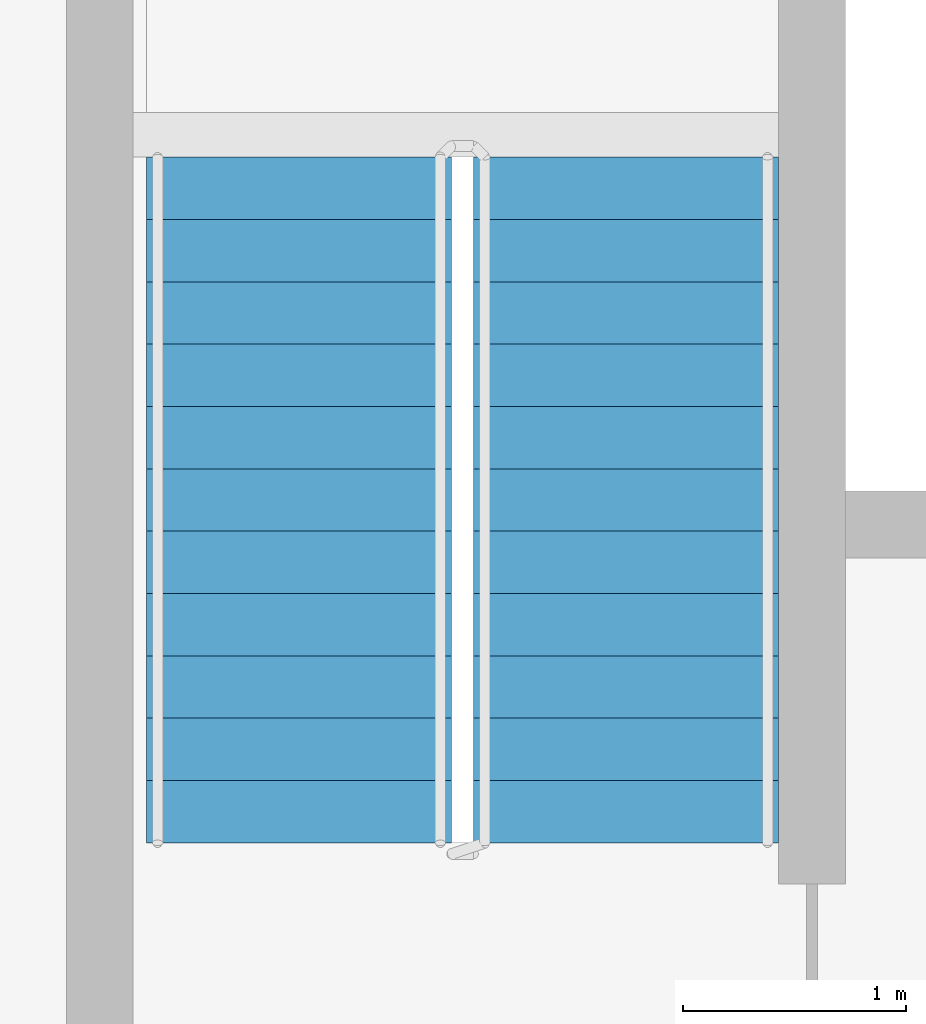
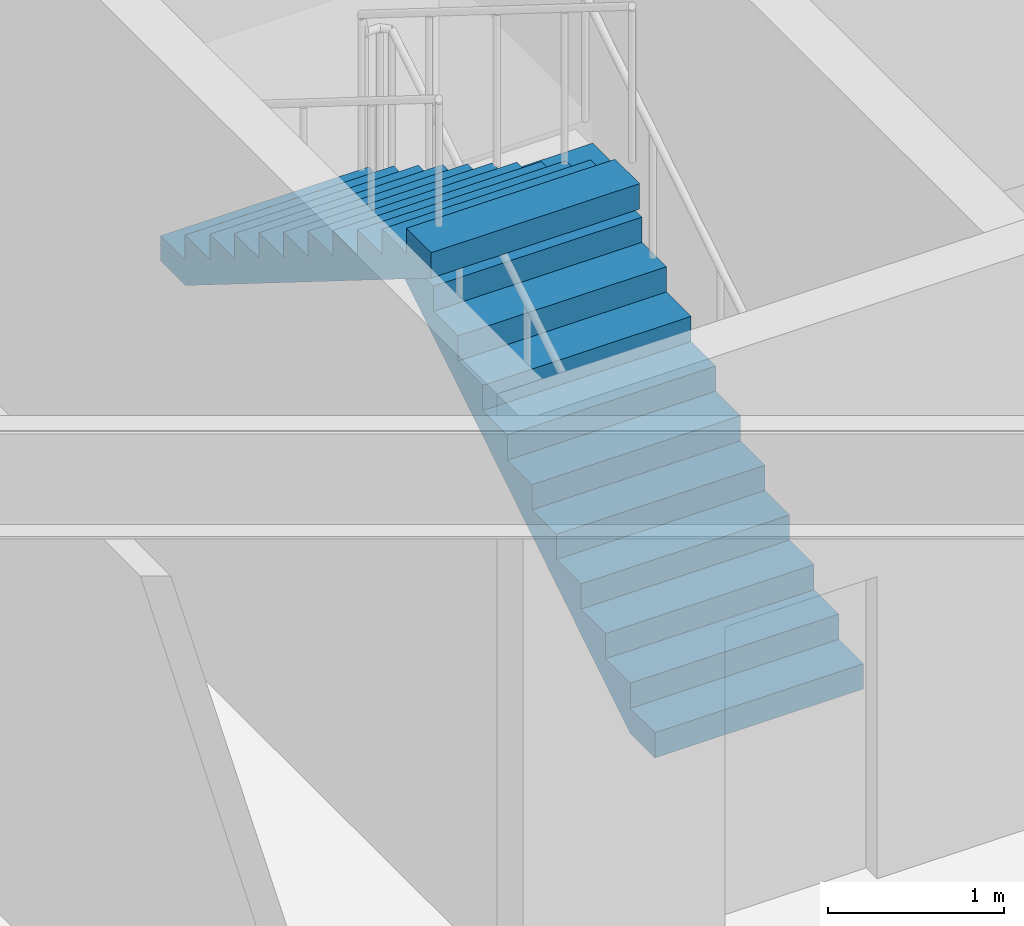
# One storey, part 19 of 21: 2 stair flights, 1 element without a shape of its own.
"""IFC4 building model written with IfcOpenShell, lengths in metres."""

from ifc_helpers import new_model, si_unit, direction, frame, origin, place, context, subcontext, project, spatial, polyline, outline, extrude, material, type_object, element, aggregate, save


model = new_model("IFC4")

# Units and contexts
model_context = context("Model", 3, precision=1e-05, world=origin(), true_north=direction((0.0, 1.0)))
body_context = subcontext(model_context, "Body", "Model", "MODEL_VIEW")
ifc_project = project(units=[si_unit("LENGTHUNIT", "METRE"), si_unit("AREAUNIT", "SQUARE_METRE"), si_unit("VOLUMEUNIT", "CUBIC_METRE"), si_unit("PLANEANGLEUNIT", "RADIAN"), si_unit("MASSUNIT", "GRAM", prefix="KILO")], contexts=[model_context])

# Site, building, storey
site_placement = place(None, origin())
site = spatial("IfcSite", under=ifc_project, at=site_placement, CompositionType="ELEMENT")
building_placement = place(site_placement, origin())
building = spatial("IfcBuilding", under=site, at=building_placement, Name="Firuza Gate Tower and Library", CompositionType="ELEMENT")
storey_placement = place(building_placement, frame((0.0, 0.0, 90.39990234375)))
storey = spatial("IfcBuildingStorey", under=building, at=storey_placement, Name="L20", CompositionType="ELEMENT", Elevation=90.39990234375)

# Stair, stair flights
ifc_material_1 = material(Name="Concrete C35/45", Category="concrete")
stair_type = type_object("IfcStairType", Name="Exit stair ST14", PredefinedType="HALF_TURN_STAIR", material=ifc_material_1)
stair_placement = place(storey_placement, origin())
stair = element("IfcStair", 1, at=stair_placement, inside=storey, type_object=stair_type, Name="L20 Stair ST3", PredefinedType="HALF_TURN_STAIR")
ifc_material_2 = material(Name="Concrete C35/45", Category="concrete")
stair_flight_type = type_object("IfcStairFlightType", Name="Stair flight 12 risers 175 width 1370", PredefinedType="STRAIGHT", material=ifc_material_2)
stair_flight_1_placement = place(storey_placement, frame((74.31494140625, 89.469970703125, 0.0), z_axis=(0.0, 0.0, 1.0), x_axis=(0.0, 1.0, 0.0)))
stair_flight_1 = element("IfcStairFlight", 2, at=stair_flight_1_placement, type_object=stair_flight_type, Name="ST3 flight 1", NumberOfRisers=12, NumberOfTreads=11, PredefinedType="STRAIGHT", RiserHeight=0.175, TreadLength=0.28, context=body_context, shape_type="SweptSolid", body=[
    extrude(outline(polyline([(0.0, 0.0), (0.0, 0.175048828125), (0.280029296875, 0.175048828125), (0.280029296875, 0.35009765625), (0.56005859375, 0.35009765625), (0.56005859375, 0.52490234375), (0.840087890625, 0.52490234375), (0.840087890625, 0.699951171875), (1.1201171875, 0.699951171875), (1.1201171875, 0.875), (1.39990234375, 0.875), (1.39990234375, 1.050048828125), (1.679931640625, 1.050048828125), (1.679931640625, 1.22509765625), (1.9599609375, 1.22509765625), (1.9599609375, 1.39990234375), (2.239990234375, 1.39990234375), (2.239990234375, 1.574951171875), (2.52001953125, 1.574951171875), (2.52001953125, 1.75), (2.800048828125, 1.75), (2.800048828125, 1.925048828125), (3.080078125, 1.925048828125), (3.080078125, 2.10009765625), (3.080078125, 1.748291015625), (0.28271484375, 0.0), (0.0, 0.0)])), frame((0.0, 0.68505859375, 0.0), z_axis=(0.0, -1.0, 0.0), x_axis=(1.0, 0.0, 0.0)), (0.0, 0.0, 1.0), 1.3701171875),
])
stair_flight_2_placement = place(storey_placement, frame((72.844970703125, 92.550048828125, 2.10009765625), z_axis=(0.0, 0.0, 1.0), x_axis=(0.0, -1.0, 0.0)))
stair_flight_2 = element("IfcStairFlight", 3, at=stair_flight_2_placement, type_object=stair_flight_type, Name="ST3 flight 2", NumberOfRisers=12, NumberOfTreads=11, PredefinedType="STRAIGHT", RiserHeight=0.175, TreadLength=0.28, context=body_context, shape_type="SweptSolid", body=[
    extrude(outline(polyline([(0.0, 0.0), (0.0, 0.175048828125), (0.280029296875, 0.175048828125), (0.280029296875, 0.35009765625), (0.56005859375, 0.35009765625), (0.56005859375, 0.52490234375), (0.840087890625, 0.52490234375), (0.840087890625, 0.699951171875), (1.1201171875, 0.699951171875), (1.1201171875, 0.875), (1.39990234375, 0.875), (1.39990234375, 1.050048828125), (1.679931640625, 1.050048828125), (1.679931640625, 1.22509765625), (1.9599609375, 1.22509765625), (1.9599609375, 1.39990234375), (2.239990234375, 1.39990234375), (2.239990234375, 1.574951171875), (2.52001953125, 1.574951171875), (2.52001953125, 1.75), (2.800048828125, 1.75), (2.800048828125, 1.925048828125), (3.080078125, 1.925048828125), (3.080078125, 2.10009765625), (3.080078125, 1.748291015625), (0.28271484375, 0.0), (0.0, 0.0)])), frame((0.0, 0.68505859375, 0.0), z_axis=(0.0, -1.0, 0.0), x_axis=(1.0, 0.0, 0.0)), (0.0, 0.0, 1.0), 1.3701171875),
])
aggregate(stair, [stair_flight_1, stair_flight_2])

save(model, "model.ifc")
